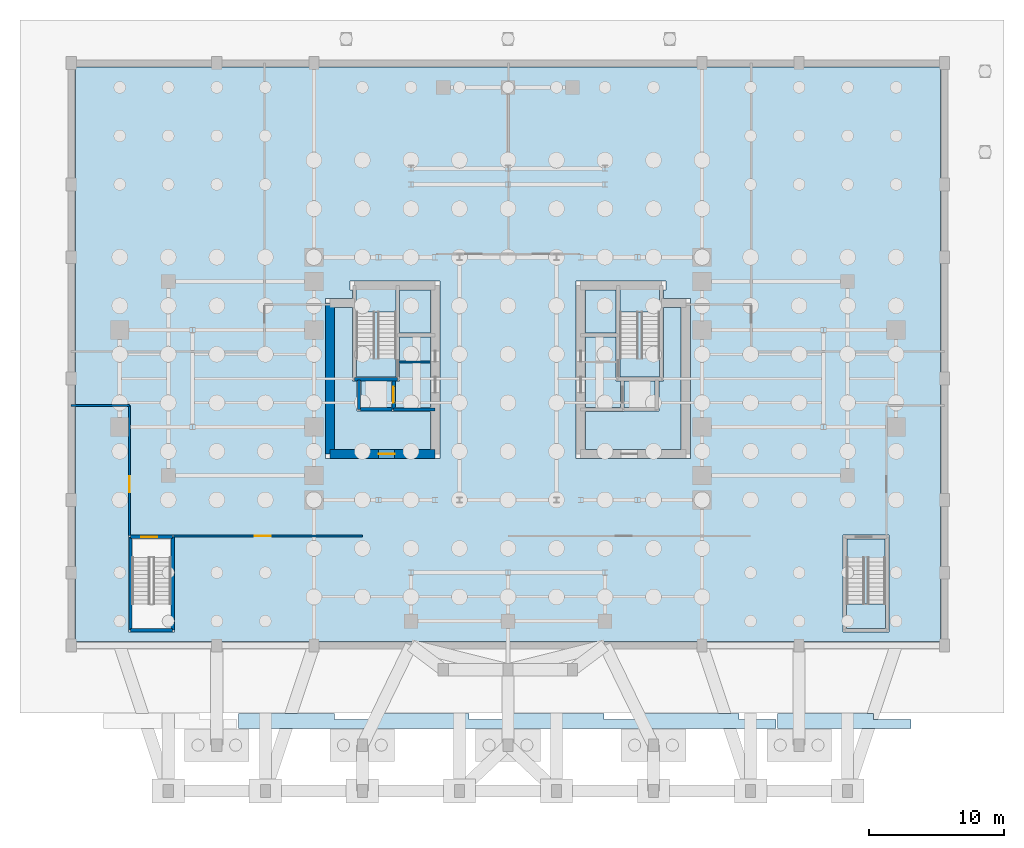
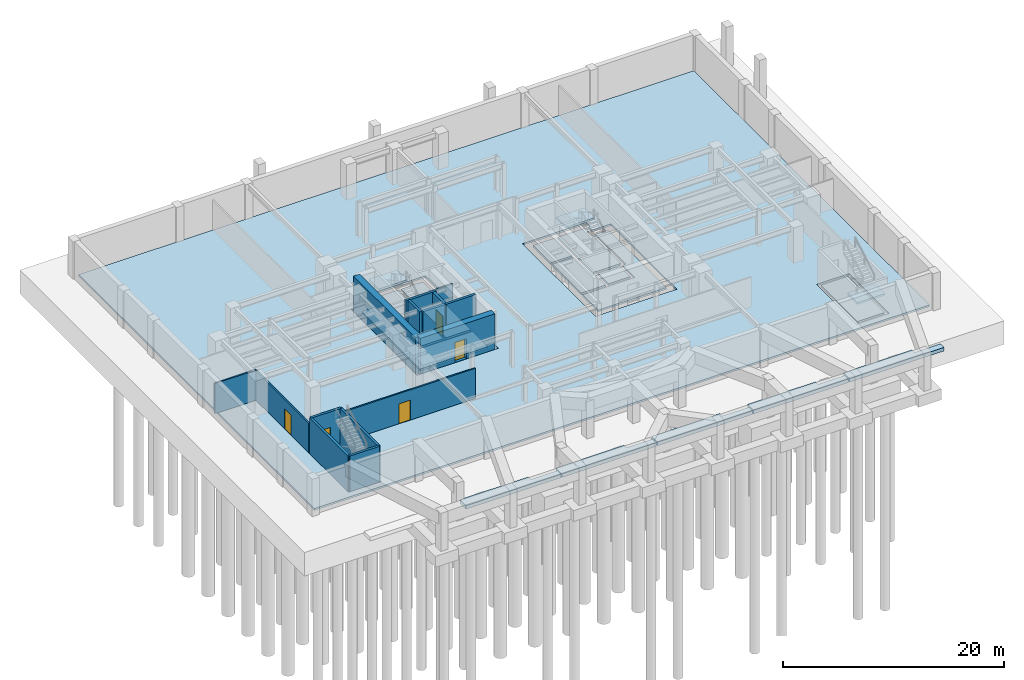
# One storey, part 7 of 13: 20 slabs, 15 walls, 5 doors, 5 openings, 3 elements without a shape of their own.
"""IFC4 building model written with IfcOpenShell, lengths in metres."""

from ifc_helpers import new_model, si_unit, direction, frame, frame_2d, origin, place, context, subcontext, project, spatial, polyline, rectangle, outline, extrude, source, transform, mapped, material, layer, layer_set, type_object, element, fill, aggregate, save


model = new_model("IFC4")

# Units and contexts
model_context = context("Model", 3, precision=1e-05, world=origin(), true_north=direction((0.0, 1.0)))
body_context = subcontext(model_context, "Body", "Model", "MODEL_VIEW")
ifc_project = project(units=[si_unit("LENGTHUNIT", "METRE"), si_unit("AREAUNIT", "SQUARE_METRE"), si_unit("VOLUMEUNIT", "CUBIC_METRE"), si_unit("PLANEANGLEUNIT", "RADIAN"), si_unit("MASSUNIT", "GRAM", prefix="KILO")], contexts=[model_context])

# Site, building, storey
site_placement = place(None, origin())
site = spatial("IfcSite", under=ifc_project, at=site_placement, CompositionType="ELEMENT")
building_placement = place(site_placement, origin())
building = spatial("IfcBuilding", under=site, at=building_placement, Name="Keilestroom Media Tower", CompositionType="ELEMENT")
storey_placement = place(building_placement, frame((0.0, 0.0, -8.39990234375)))
storey = spatial("IfcBuildingStorey", under=building, at=storey_placement, Name="B2", CompositionType="ELEMENT", Elevation=-8.39990234375)

# Slabs
ifc_material_1 = material(Name="Concrete C50/60", Category="concrete")
ifc_layer_1 = layer(ifc_material_1, 0.199951171875)
ifc_layer_set_1 = layer_set([ifc_layer_1], Name="Concrete C50/60")
slab_type_1 = type_object("IfcSlabType", Name="Composite-Floor-Slab-200", PredefinedType="FLOOR", material=ifc_layer_set_1)
slab_1_placement = place(storey_placement, frame((0.0, 0.0, -0.2001953125)))
element("IfcSlab", 1, at=slab_1_placement, inside=storey, type_object=slab_type_1, Name="B2 Structural Basement Floor Slab 1", PredefinedType="FLOOR", context=body_context, shape_type="SweptSolid", body=[
    extrude(outline(polyline([(-32.10009765625, 23.10009765625), (32.10009765625, 23.10009765625), (32.10009765625, -19.5), (-32.10009765625, -19.5), (-32.10009765625, 23.10009765625)]), holes=[polyline([(-28.14599609375, -11.60400390625), (-28.14599609375, -11.89404296875), (-28.14599609375, -18.52587890625), (-28.14599609375, -18.81591796875), (-27.85595703125, -18.81591796875), (-25.02392578125, -18.81591796875), (-24.73388671875, -18.81591796875), (-24.73388671875, -18.52587890625), (-24.73388671875, -11.89404296875), (-24.73388671875, -11.60400390625), (-25.02392578125, -11.60400390625), (-27.85595703125, -11.60400390625), (-28.14599609375, -11.60400390625)]), polyline([(-5.054931640625, -5.945068359375), (-5.054931640625, -5.2548828125), (-5.054931640625, 6.554931640625), (-5.054931640625, 7.2451171875), (-5.7451171875, 7.2451171875), (-11.72607421875, 7.2451171875), (-11.72607421875, 6.554931640625), (-11.52587890625, 6.554931640625), (-11.52587890625, 5.945068359375), (-12.85498046875, 5.945068359375), (-13.544921875, 5.945068359375), (-13.544921875, 5.2548828125), (-13.544921875, -5.2548828125), (-13.544921875, -5.945068359375), (-12.85498046875, -5.945068359375), (-5.7451171875, -5.945068359375), (-5.054931640625, -5.945068359375)]), polyline([(24.85400390625, -18.81591796875), (25.14404296875, -18.81591796875), (27.97607421875, -18.81591796875), (28.26611328125, -18.81591796875), (28.26611328125, -18.52587890625), (28.26611328125, -11.89404296875), (28.26611328125, -11.60400390625), (27.97607421875, -11.60400390625), (25.14404296875, -11.60400390625), (24.85400390625, -11.60400390625), (24.85400390625, -11.89404296875), (24.85400390625, -18.52587890625), (24.85400390625, -18.81591796875)]), polyline([(13.544921875, -5.945068359375), (13.544921875, -5.2548828125), (13.544921875, 5.2548828125), (13.544921875, 5.945068359375), (12.85498046875, 5.945068359375), (11.52587890625, 5.945068359375), (11.52587890625, 6.554931640625), (11.72607421875, 6.554931640625), (11.72607421875, 7.2451171875), (5.7451171875, 7.2451171875), (5.054931640625, 7.2451171875), (5.054931640625, 6.554931640625), (5.054931640625, -5.2548828125), (5.054931640625, -5.945068359375), (5.7451171875, -5.945068359375), (12.85498046875, -5.945068359375), (13.544921875, -5.945068359375)])]), origin(), (0.0, 0.0, 1.0), 0.2001953125),
])
slab_2_placement = place(storey_placement, frame((0.0, 0.0, -0.2001953125)))
element("IfcSlab", 2, at=slab_2_placement, inside=storey, type_object=slab_type_1, Name="B2 Structural Basement Floor Slab 2", PredefinedType="FLOOR", context=body_context, shape_type="SweptSolid", body=[
    extrude(outline(polyline([(12.85498046875, -5.2548828125), (5.7451171875, -5.2548828125), (5.7451171875, -2.445068359375), (8.625, -2.445068359375), (8.625, -2.425048828125), (10.905029296875, -2.425048828125), (11.06591796875, -2.425048828125), (11.195068359375, -2.425048828125), (11.195068359375, -0.18603515625), (11.236083984375, -0.18603515625), (11.52587890625, -0.18603515625), (11.52587890625, 0.10400390625), (11.52587890625, 5.2548828125), (12.85498046875, 5.2548828125), (12.85498046875, -5.2548828125)])), origin(), (0.0, 0.0, 1.0), 0.2001953125),
])
slab_3_placement = place(storey_placement, frame((0.0, 0.0, -0.2001953125)))
element("IfcSlab", 3, at=slab_3_placement, inside=storey, type_object=slab_type_1, Name="B2 Structural Basement Floor Slab 3", PredefinedType="FLOOR", context=body_context, shape_type="SweptSolid", body=[
    extrude(outline(polyline([(-5.7451171875, -5.2548828125), (-12.85498046875, -5.2548828125), (-12.85498046875, 5.2548828125), (-11.52587890625, 5.2548828125), (-11.52587890625, 0.10400390625), (-11.52587890625, -0.18603515625), (-11.236083984375, -0.18603515625), (-11.195068359375, -0.18603515625), (-11.195068359375, -2.425048828125), (-11.06591796875, -2.425048828125), (-10.905029296875, -2.425048828125), (-8.625, -2.425048828125), (-8.625, -2.445068359375), (-5.7451171875, -2.445068359375), (-5.7451171875, -5.2548828125)])), origin(), (0.0, 0.0, 1.0), 0.2001953125),
])
slab_4_placement = place(storey_placement, frame((0.0, 0.0, -0.2001953125)))
element("IfcSlab", 4, at=slab_4_placement, inside=storey, type_object=slab_type_1, Name="B2 Structural Basement Floor Slab 5", PredefinedType="FLOOR", context=body_context, shape_type="SweptSolid", body=[
    extrude(outline(polyline([(25.14404296875, -11.89404296875), (27.97607421875, -11.89404296875), (27.97607421875, -18.52587890625), (25.14404296875, -18.52587890625), (25.14404296875, -11.89404296875)])), origin(), (0.0, 0.0, 1.0), 0.2001953125),
])
slab_5_placement = place(storey_placement, frame((0.0, 0.0, -0.2001953125)))
element("IfcSlab", 5, at=slab_5_placement, inside=storey, type_object=slab_type_1, Name="B2 Structural Basement Floor Slab 6", PredefinedType="FLOOR", context=body_context, shape_type="SweptSolid", body=[
    extrude(outline(polyline([(-8.323974609375, 3.074951171875), (-8.323974609375, 0.10400390625), (-11.236083984375, 0.10400390625), (-11.236083984375, 5.2548828125), (-11.035888671875, 5.2548828125), (-11.035888671875, 5.945068359375), (-11.236083984375, 5.945068359375), (-11.236083984375, 6.554931640625), (-8.323974609375, 6.554931640625), (-8.323974609375, 3.364990234375), (-8.324951171875, 3.364990234375), (-8.324951171875, 3.074951171875), (-8.323974609375, 3.074951171875)])), origin(), (0.0, 0.0, 1.0), 0.2001953125),
])
slab_6_placement = place(storey_placement, frame((0.0, 0.0, -0.2001953125)))
element("IfcSlab", 6, at=slab_6_placement, inside=storey, type_object=slab_type_1, Name="B2 Structural Basement Floor Slab 7", PredefinedType="FLOOR", context=body_context, shape_type="SweptSolid", body=[
    extrude(outline(polyline([(11.236083984375, 5.2548828125), (11.236083984375, 0.10400390625), (8.323974609375, 0.10400390625), (8.323974609375, 3.074951171875), (8.324951171875, 3.074951171875), (8.324951171875, 3.364990234375), (8.323974609375, 3.364990234375), (8.323974609375, 6.554931640625), (11.236083984375, 6.554931640625), (11.236083984375, 5.945068359375), (11.035888671875, 5.945068359375), (11.035888671875, 5.2548828125), (11.236083984375, 5.2548828125)])), origin(), (0.0, 0.0, 1.0), 0.2001953125),
])
slab_7_placement = place(storey_placement, frame((0.0, 0.0, -0.2001953125)))
element("IfcSlab", 7, at=slab_7_placement, inside=storey, type_object=slab_type_1, Name="B2 Structural Basement Floor Slab 8", PredefinedType="FLOOR", context=body_context, shape_type="SweptSolid", body=[
    extrude(outline(polyline([(8.3349609375, -0.18603515625), (8.3349609375, -2.155029296875), (5.7451171875, -2.155029296875), (5.7451171875, 3.074951171875), (8.033935546875, 3.074951171875), (8.033935546875, 0.10400390625), (8.033935546875, -0.18603515625), (8.323974609375, -0.18603515625), (8.3349609375, -0.18603515625)])), origin(), (0.0, 0.0, 1.0), 0.2001953125),
])
slab_8_placement = place(storey_placement, frame((0.0, 0.0, -0.2001953125)))
element("IfcSlab", 8, at=slab_8_placement, inside=storey, type_object=slab_type_1, Name="B2 Structural Basement Floor Slab 9", PredefinedType="FLOOR", context=body_context, shape_type="SweptSolid", body=[
    extrude(outline(polyline([(-5.7451171875, -2.155029296875), (-8.3349609375, -2.155029296875), (-8.3349609375, -0.18603515625), (-8.323974609375, -0.18603515625), (-8.033935546875, -0.18603515625), (-8.033935546875, 0.10400390625), (-8.033935546875, 3.074951171875), (-5.7451171875, 3.074951171875), (-5.7451171875, -2.155029296875)])), origin(), (0.0, 0.0, 1.0), 0.2001953125),
])
slab_9_placement = place(storey_placement, frame((0.0, 0.0, -0.2001953125)))
element("IfcSlab", 9, at=slab_9_placement, inside=storey, type_object=slab_type_1, Name="B2 Structural Basement Floor Slab 10", PredefinedType="FLOOR", context=body_context, shape_type="SweptSolid", body=[
    extrude(outline(polyline([(-8.033935546875, 6.554931640625), (-5.7451171875, 6.554931640625), (-5.7451171875, 3.364990234375), (-8.033935546875, 3.364990234375), (-8.033935546875, 6.554931640625)])), origin(), (0.0, 0.0, 1.0), 0.2001953125),
])
slab_10_placement = place(storey_placement, frame((0.0, 0.0, -0.2001953125)))
element("IfcSlab", 10, at=slab_10_placement, inside=storey, type_object=slab_type_1, Name="B2 Structural Basement Floor Slab 11", PredefinedType="FLOOR", context=body_context, shape_type="SweptSolid", body=[
    extrude(outline(polyline([(8.033935546875, 3.364990234375), (5.7451171875, 3.364990234375), (5.7451171875, 6.554931640625), (8.033935546875, 6.554931640625), (8.033935546875, 3.364990234375)])), origin(), (0.0, 0.0, 1.0), 0.2001953125),
])
slab_11_placement = place(storey_placement, frame((0.0, 0.0, -0.2001953125)))
element("IfcSlab", 11, at=slab_11_placement, inside=storey, type_object=slab_type_1, Name="B2 Structural Basement Floor Slab 12", PredefinedType="FLOOR", context=body_context, shape_type="SweptSolid", body=[
    extrude(outline(polyline([(-10.905029296875, -2.135009765625), (-10.905029296875, -0.18603515625), (-8.625, -0.18603515625), (-8.625, -2.135009765625), (-10.905029296875, -2.135009765625)])), origin(), (0.0, 0.0, 1.0), 0.2001953125),
])
slab_12_placement = place(storey_placement, frame((0.0, 0.0, -0.2001953125)))
element("IfcSlab", 12, at=slab_12_placement, inside=storey, type_object=slab_type_1, Name="B2 Structural Basement Floor Slab 13", PredefinedType="FLOOR", context=body_context, shape_type="SweptSolid", body=[
    extrude(outline(polyline([(8.625, -2.135009765625), (8.625, -0.18603515625), (10.905029296875, -0.18603515625), (10.905029296875, -2.135009765625), (8.625, -2.135009765625)])), origin(), (0.0, 0.0, 1.0), 0.2001953125),
])
ifc_material_2 = material(Name="Concrete C55/67", Category="concrete")
ifc_layer_2 = layer(ifc_material_2, 0.39990234375)
ifc_layer_set_2 = layer_set([ifc_layer_2], Name="Concrete C55/67")
slab_type_2 = type_object("IfcSlabType", Name="Piled-Raft-Base-Slab-400", PredefinedType="BASESLAB", material=ifc_layer_set_2)
slab_13_placement = place(storey_placement, frame((0.0, 0.0, -0.400146484375)))
element("IfcSlab", 13, at=slab_13_placement, inside=storey, type_object=slab_type_2, Name="B2 Cofferdam Apron Base Slab 2", PredefinedType="BASESLAB", context=body_context, shape_type="SweptSolid", body=[
    extrude(outline(polyline([(-20.0, -25.949951171875), (-10.10009765625, -25.949951171875), (-10.10009765625, -25.300048828125), (-12.8720703125, -25.300048828125), (-12.8720703125, -24.85009765625), (-20.0, -24.85009765625), (-20.0, -25.949951171875)])), origin(), (0.0, 0.0, 1.0), 0.400146484375),
])
slab_14_placement = place(storey_placement, frame((0.0, 0.0, -0.400146484375)))
element("IfcSlab", 14, at=slab_14_placement, inside=storey, type_object=slab_type_2, Name="B2 Cofferdam Apron Base Slab 3", PredefinedType="BASESLAB", context=body_context, shape_type="SweptSolid", body=[
    extrude(outline(polyline([(-10.0, -25.949951171875), (-0.10009765625, -25.949951171875), (-0.10009765625, -25.300048828125), (-2.8720703125, -25.300048828125), (-2.8720703125, -24.85009765625), (-10.0, -24.85009765625), (-10.0, -25.949951171875)])), origin(), (0.0, 0.0, 1.0), 0.400146484375),
])
slab_15_placement = place(storey_placement, frame((0.0, 0.0, -0.400146484375)))
element("IfcSlab", 15, at=slab_15_placement, inside=storey, type_object=slab_type_2, Name="B2 Cofferdam Apron Base Slab 4", PredefinedType="BASESLAB", context=body_context, shape_type="SweptSolid", body=[
    extrude(outline(polyline([(0.0, -25.949951171875), (9.89990234375, -25.949951171875), (9.89990234375, -25.300048828125), (7.1279296875, -25.300048828125), (7.1279296875, -24.85009765625), (0.0, -24.85009765625), (0.0, -25.949951171875)])), origin(), (0.0, 0.0, 1.0), 0.400146484375),
])
slab_16_placement = place(storey_placement, frame((0.0, 0.0, -0.400146484375)))
element("IfcSlab", 16, at=slab_16_placement, inside=storey, type_object=slab_type_2, Name="B2 Cofferdam Apron Base Slab 5", PredefinedType="BASESLAB", context=body_context, shape_type="SweptSolid", body=[
    extrude(outline(polyline([(10.0, -25.949951171875), (19.89990234375, -25.949951171875), (19.89990234375, -25.300048828125), (17.1279296875, -25.300048828125), (17.1279296875, -24.85009765625), (10.0, -24.85009765625), (10.0, -25.949951171875)])), origin(), (0.0, 0.0, 1.0), 0.400146484375),
])
slab_17_placement = place(storey_placement, frame((0.0, 0.0, -0.400146484375)))
element("IfcSlab", 17, at=slab_17_placement, inside=storey, type_object=slab_type_2, Name="B2 Cofferdam Apron Base Slab 6", PredefinedType="BASESLAB", context=body_context, shape_type="SweptSolid", body=[
    extrude(outline(polyline([(20.0, -25.949951171875), (29.89990234375, -25.949951171875), (29.89990234375, -25.300048828125), (27.1279296875, -25.300048828125), (27.1279296875, -24.85009765625), (20.0, -24.85009765625), (20.0, -25.949951171875)])), origin(), (0.0, 0.0, 1.0), 0.400146484375),
])

# Stair, slab
ifc_material_3 = material(Name="Concrete C45/55", Category="concrete")
stair_type_1 = type_object("IfcStairType", Name="Enclosed-Dog-Leg-Stair-ST-CORE", PredefinedType="HALF_TURN_STAIR", material=ifc_material_3)
stair_1_placement = place(storey_placement, origin())
stair_1 = element("IfcStair", 18, at=stair_1_placement, inside=storey, type_object=stair_type_1, Name="B2 West Core Escape Stair ST-1", PredefinedType="HALF_TURN_STAIR")
ifc_layer_3 = layer(ifc_material_3, 0.199951171875)
ifc_layer_set_3 = layer_set([ifc_layer_3], Name="Concrete C45/55")
slab_type_3 = type_object("IfcSlabType", Name="Stair-Intermediate-And-Top-Landing-Slab-200", PredefinedType="LANDING", material=ifc_layer_set_3)
slab_18_placement = place(storey_placement, frame((0.0, 0.0, 1.89990234375)))
slab_18 = element("IfcSlab", 19, at=slab_18_placement, type_object=slab_type_3, Name="ST-1 landing 1", PredefinedType="LANDING", context=body_context, shape_type="SweptSolid", body=[
    extrude(outline(polyline([(-8.300048828125, 4.931884765625), (-8.300048828125, 6.760009765625), (-11.260009765625, 6.760009765625), (-11.260009765625, 4.931884765625), (-8.300048828125, 4.931884765625)])), origin(), (0.0, 0.0, 1.0), 0.199951171875),
])
aggregate(stair_1, [slab_18])

stair_2_placement = place(storey_placement, origin())
stair_2 = element("IfcStair", 20, at=stair_2_placement, inside=storey, type_object=stair_type_1, Name="B2 East Core Escape Stair ST-2", PredefinedType="HALF_TURN_STAIR")
slab_19_placement = place(storey_placement, frame((0.0, 0.0, 1.89990234375)))
slab_19 = element("IfcSlab", 21, at=slab_19_placement, type_object=slab_type_3, Name="ST-2 landing 1", PredefinedType="LANDING", context=body_context, shape_type="SweptSolid", body=[
    extrude(outline(polyline([(11.260009765625, 4.931884765625), (11.260009765625, 6.760009765625), (8.300048828125, 6.760009765625), (8.300048828125, 4.931884765625), (11.260009765625, 4.931884765625)])), origin(), (0.0, 0.0, 1.0), 0.199951171875),
])
aggregate(stair_2, [slab_19])

stair_type_2 = type_object("IfcStairType", Name="Enclosed-Dog-Leg-Stair-ST-POD", PredefinedType="HALF_TURN_STAIR", material=ifc_material_3)
stair_3_placement = place(storey_placement, origin())
stair_3 = element("IfcStair", 22, at=stair_3_placement, inside=storey, type_object=stair_type_2, Name="B2 Podium East Studio Escape Stair ST-4", PredefinedType="HALF_TURN_STAIR")
slab_20_placement = place(storey_placement, frame((0.0, 0.0, 1.89990234375)))
slab_20 = element("IfcSlab", 23, at=slab_20_placement, type_object=slab_type_3, Name="ST-4 landing 1", PredefinedType="LANDING", context=body_context, shape_type="SweptSolid", body=[
    extrude(outline(polyline([(25.1201171875, -16.721923828125), (25.1201171875, -18.550048828125), (28.0, -18.550048828125), (28.0, -16.721923828125), (25.1201171875, -16.721923828125)])), origin(), (0.0, 0.0, 1.0), 0.199951171875),
])
aggregate(stair_3, [slab_20])

# Walls
ifc_material_4 = material(Name="Gypsum Plasterboard & Steel Stud", Category="steel")
ifc_layer_4 = layer(ifc_material_4, 0.14990234375)
ifc_layer_set_4 = layer_set([ifc_layer_4], Name="Gypsum Plasterboard & Steel Stud")
wall_type_1 = type_object("IfcWallType", Name="Interior-Partition-Wall-150", PredefinedType="PARTITIONING", material=ifc_layer_set_4)
wall_1_placement = place(storey_placement, frame((-8.139892578125, 1.239990234375, 0.0), z_axis=(0.0, 0.0, 1.0), x_axis=(1.0, 0.0, 0.0)))
element("IfcWall", 24, at=wall_1_placement, inside=storey, type_object=wall_type_1, Name="B2 Interior Wall WP-B2-FFW-TOP", PredefinedType="PARTITIONING", context=body_context, shape_type="SweptSolid", body=[
    extrude(rectangle(XDim=2.389892578125, YDim=0.14990234375, at=frame_2d((1.19482421875, 0.0))), origin(), (0.0, 0.0, 1.0), 3.02001953125),
])
wall_2_placement = place(storey_placement, frame((-32.39990234375, -2.0, 0.0), z_axis=(0.0, 0.0, 1.0), x_axis=(1.0, 0.0, 0.0)))
element("IfcWall", 25, at=wall_2_placement, inside=storey, type_object=wall_type_1, Name="B2 Interior Wall WP-B2-B2-SPRK-N", PredefinedType="PARTITIONING", context=body_context, shape_type="SweptSolid", body=[
    extrude(rectangle(XDim=4.31982421875, YDim=0.14990234375, at=frame_2d((2.159912109375, 0.0))), origin(), (0.0, 0.0, 1.0), 3.329833984375),
])

# Wall, opening, door
wall_3_placement = place(storey_placement, frame((-28.080078125, -11.64990234375, 0.0), z_axis=(0.0, 0.0, 1.0), x_axis=(0.0, 1.0, 0.0)))
wall_3 = element("IfcWall", 26, at=wall_3_placement, inside=storey, type_object=wall_type_1, Name="B2 Interior Wall WP-B2-B2-SPRK", PredefinedType="PARTITIONING", context=body_context, shape_type="SweptSolid", body=[
    extrude(rectangle(XDim=9.64990234375, YDim=0.14990234375, at=frame_2d((4.824951171875, 0.0))), origin(), (0.0, 0.0, 1.0), 3.27001953125),
])
opening_1_placement = place(wall_3_placement, frame((3.199951171875, 0.0, 0.0)))
opening_1 = element("IfcOpeningElement", 27, at=opening_1_placement, cuts=wall_3, Name="Opening DI-02", PredefinedType="OPENING", context=body_context, shape_type="SweptSolid", body=[
    extrude(rectangle(XDim=1.199951171875, YDim=2.199951171875, at=frame_2d((0.60009765625, 1.10009765625))), frame((0.0, 0.0849609375, 0.0), z_axis=(0.0, -1.0, 0.0), x_axis=(1.0, 0.0, 0.0)), (0.0, 0.0, 1.0), 0.169921875),
])
ifc_material_5 = material(Name="Powder-Coated Steel Fire Leaf", Category="steel")
door_type_1 = type_object("IfcDoorType", Name="Interior-Compartment-Fire-Door-DI-02", OperationType="NOTDEFINED", PredefinedType="DOOR", material=ifc_material_5)
shared_shape = source(origin(), body_context, "Body", "SweptSolid", [
    extrude(rectangle(XDim=1.199951171875, YDim=2.199951171875, at=frame_2d((0.60009765625, 1.10009765625))), frame((0.0, 0.02490234375, 0.0), z_axis=(0.0, -1.0, 0.0), x_axis=(1.0, 0.0, 0.0)), (0.0, 0.0, 1.0), 0.050048828125),
])
door_1_placement = place(opening_1_placement, origin())
door_1 = element("IfcDoor", 28, at=door_1_placement, inside=storey, type_object=door_type_1, Name="B2 Interior Door DI-B2-B2-SPRK", OperationType="SINGLE_SWING_LEFT", OverallHeight=2.199951171875, OverallWidth=1.199951171875, PredefinedType="DOOR", context=body_context, shape_type="MappedRepresentation", body=[
    mapped(shared_shape, transform((0.0, 0.0, 0.0), x_axis=(1.0, 0.0, 0.0), y_axis=(0.0, 1.0, 0.0), z_axis=(0.0, 0.0, 1.0), scale=1.0)),
])
fill(opening_1, door_1)

wall_4_placement = place(storey_placement, frame((-24.800048828125, -11.679931640625, 0.0), z_axis=(0.0, 0.0, 1.0), x_axis=(1.0, 0.0, 0.0)))
wall_4 = element("IfcWall", 29, at=wall_4_placement, inside=storey, type_object=wall_type_1, Name="B2 Interior Wall WP-B2-B2-RIVR", PredefinedType="PARTITIONING", context=body_context, shape_type="SweptSolid", body=[
    extrude(rectangle(XDim=14.0, YDim=0.14990234375, at=frame_2d((7.0, 0.0))), origin(), (0.0, 0.0, 1.0), 3.329833984375),
])
opening_2_placement = place(wall_4_placement, frame((6.0, 0.0, 0.0)))
opening_2 = element("IfcOpeningElement", 30, at=opening_2_placement, cuts=wall_4, Name="Opening DI-02", PredefinedType="OPENING", context=body_context, shape_type="SweptSolid", body=[
    extrude(rectangle(XDim=1.199951171875, YDim=2.199951171875, at=frame_2d((0.60009765625, 1.10009765625))), frame((0.0, 0.0849609375, 0.0), z_axis=(0.0, -1.0, 0.0), x_axis=(1.0, 0.0, 0.0)), (0.0, 0.0, 1.0), 0.169921875),
])
door_2_placement = place(opening_2_placement, origin())
door_2 = element("IfcDoor", 31, at=door_2_placement, inside=storey, type_object=door_type_1, Name="B2 Interior Door DI-B2-B2-RIVR", OperationType="SINGLE_SWING_RIGHT", OverallHeight=2.199951171875, OverallWidth=1.199951171875, PredefinedType="DOOR", context=body_context, shape_type="MappedRepresentation", body=[
    mapped(shared_shape, transform((0.0, 0.0, 0.0), x_axis=(1.0, 0.0, 0.0), y_axis=(0.0, 1.0, 0.0), z_axis=(0.0, 0.0, 1.0), scale=1.0)),
])
fill(opening_2, door_2)

# Wall
ifc_material_6 = material(Name="Concrete C70/85", Category="concrete")
ifc_layer_5 = layer(ifc_material_6, 0.64990234375)
ifc_layer_set_5 = layer_set([ifc_layer_5], Name="Concrete C70/85")
wall_type_2 = type_object("IfcWallType", Name="Reinforced-Concrete-Core-Shear-Wall-650", PredefinedType="SHEAR", material=ifc_layer_set_5)
wall_5_placement = place(storey_placement, frame((-13.199951171875, -5.60009765625, -0.2001953125), z_axis=(0.0, 0.0, 1.0), x_axis=(0.0, 1.0, 0.0)))
element("IfcWall", 32, at=wall_5_placement, inside=storey, type_object=wall_type_2, Name="B2 Core Shear Wall WL-B2-CORE-W-OUT", PredefinedType="SHEAR", context=body_context, shape_type="SweptSolid", body=[
    extrude(rectangle(XDim=11.2001953125, YDim=0.64990234375, at=frame_2d((5.60009765625, 0.0))), origin(), (0.0, 0.0, 1.0), 4.1201171875),
])

# Wall, opening, door
wall_6_placement = place(storey_placement, frame((-13.199951171875, -5.60009765625, -0.2001953125), z_axis=(0.0, 0.0, 1.0), x_axis=(1.0, 0.0, 0.0)))
wall_6 = element("IfcWall", 33, at=wall_6_placement, inside=storey, type_object=wall_type_2, Name="B2 Core Shear Wall WL-B2-CORE-W-S", PredefinedType="SHEAR", context=body_context, shape_type="SweptSolid", body=[
    extrude(rectangle(XDim=7.800048828125, YDim=0.64990234375, at=frame_2d((3.89990234375, 0.0))), origin(), (0.0, 0.0, 1.0), 4.1201171875),
])
opening_3_placement = place(wall_6_placement, frame((3.60009765625, 0.0, 0.199951171875)))
opening_3 = element("IfcOpeningElement", 34, at=opening_3_placement, cuts=wall_6, Name="Opening DI-02", PredefinedType="OPENING", context=body_context, shape_type="SweptSolid", body=[
    extrude(rectangle(XDim=1.199951171875, YDim=2.199951171875, at=frame_2d((0.60009765625, 1.10009765625))), frame((0.0, 0.3349609375, 0.0), z_axis=(0.0, -1.0, 0.0), x_axis=(1.0, 0.0, 0.0)), (0.0, 0.0, 1.0), 0.669921875),
])
door_3_placement = place(opening_3_placement, origin())
door_3 = element("IfcDoor", 35, at=door_3_placement, inside=storey, type_object=door_type_1, Name="B2 W Passenger Lift Lobby Door", OperationType="SINGLE_SWING_LEFT", OverallHeight=2.199951171875, OverallWidth=1.199951171875, PredefinedType="DOOR", context=body_context, shape_type="MappedRepresentation", body=[
    mapped(shared_shape, transform((0.0, 0.0, 0.0), x_axis=(1.0, 0.0, 0.0), y_axis=(0.0, 1.0, 0.0), z_axis=(0.0, 0.0, 1.0), scale=1.0)),
])
fill(opening_3, door_3)

# Walls
ifc_layer_6 = layer(ifc_material_1, 0.25)
ifc_layer_set_6 = layer_set([ifc_layer_6], Name="Concrete C50/60")
wall_type_3 = type_object("IfcWallType", Name="Reinforced-Concrete-Shaft-Wall-250", PredefinedType="SOLIDWALL", material=ifc_layer_set_6)
wall_7_placement = place(storey_placement, frame((-8.47998046875, -2.300048828125, -0.2001953125), z_axis=(0.0, 0.0, 1.0), x_axis=(1.0, 0.0, 0.0)))
element("IfcWall", 36, at=wall_7_placement, inside=storey, type_object=wall_type_3, Name="B2 Core Shear Wall WL-B2-CORE-W-FFS", PredefinedType="SOLIDWALL", context=body_context, shape_type="SweptSolid", body=[
    extrude(rectangle(XDim=3.080078125, YDim=0.25, at=frame_2d((1.5400390625, 0.0))), origin(), (0.0, 0.0, 1.0), 4.1201171875),
])
wall_8_placement = place(storey_placement, frame((-11.381103515625, -0.041015625, -0.2001953125), z_axis=(0.0, 0.0, 1.0), x_axis=(1.0, 0.0, 0.0)))
element("IfcWall", 37, at=wall_8_placement, inside=storey, type_object=wall_type_3, Name="B2 Core Shear Wall WL-B2-STW-W-S", PredefinedType="SOLIDWALL", context=body_context, shape_type="SweptSolid", body=[
    extrude(rectangle(XDim=3.2021484375, YDim=0.25, at=frame_2d((1.60107421875, 0.0))), origin(), (0.0, 0.0, 1.0), 4.1201171875),
])
for number, where, z_axis, x_axis, name in (
    (38, (-28.0009765625, -18.6708984375, -0.2001953125), (0.0, 0.0, 1.0), (0.0, 1.0, 0.0), "B2 Core Shear Wall WL-B2-ST-3-W"),
    (39, (-24.87890625, -18.6708984375, -0.2001953125), (0.0, 0.0, 1.0), (0.0, 1.0, 0.0), "B2 Core Shear Wall WL-B2-ST-3-E"),
):
    element("IfcWall", number, at=place(storey_placement, frame(where, z_axis=z_axis, x_axis=x_axis)), inside=storey, type_object=wall_type_3, Name=name, PredefinedType="SOLIDWALL", context=body_context, shape_type="SweptSolid", body=[
        extrude(rectangle(XDim=6.921875, YDim=0.25, at=frame_2d((3.4609375, 0.0))), origin(), (0.0, 0.0, 1.0), 4.1201171875),
    ])
wall_9_placement = place(storey_placement, frame((-28.0009765625, -18.6708984375, -0.2001953125), z_axis=(0.0, 0.0, 1.0), x_axis=(1.0, 0.0, 0.0)))
element("IfcWall", 40, at=wall_9_placement, inside=storey, type_object=wall_type_3, Name="B2 Core Shear Wall WL-B2-ST-3-S", PredefinedType="SOLIDWALL", context=body_context, shape_type="SweptSolid", body=[
    extrude(rectangle(XDim=3.1220703125, YDim=0.25, at=frame_2d((1.56103515625, 0.0))), origin(), (0.0, 0.0, 1.0), 4.1201171875),
])

# Wall, opening, door
wall_10_placement = place(storey_placement, frame((-28.0009765625, -11.7490234375, -0.2001953125), z_axis=(0.0, 0.0, 1.0), x_axis=(1.0, 0.0, 0.0)))
wall_10 = element("IfcWall", 41, at=wall_10_placement, inside=storey, type_object=wall_type_3, Name="B2 Core Shear Wall WL-B2-ST-3-N", PredefinedType="SOLIDWALL", context=body_context, shape_type="SweptSolid", body=[
    extrude(rectangle(XDim=3.1220703125, YDim=0.25, at=frame_2d((1.56103515625, 0.0))), origin(), (0.0, 0.0, 1.0), 4.1201171875),
])
opening_4_placement = place(wall_10_placement, frame((0.800048828125, 0.0, 0.199951171875)))
opening_4 = element("IfcOpeningElement", 42, at=opening_4_placement, cuts=wall_10, Name="Opening DI-01S", PredefinedType="OPENING", context=body_context, shape_type="SweptSolid", body=[
    extrude(rectangle(XDim=1.199951171875, YDim=2.199951171875, at=frame_2d((0.60009765625, 1.10009765625))), frame((0.0, 0.135009765625, 0.0), z_axis=(0.0, -1.0, 0.0), x_axis=(1.0, 0.0, 0.0)), (0.0, 0.0, 1.0), 0.27001953125),
])
door_type_2 = type_object("IfcDoorType", Name="Interior-Stair-And-Core-Fire-Door-DI-01", OperationType="NOTDEFINED", PredefinedType="DOOR", material=ifc_material_5)
door_4_placement = place(opening_4_placement, origin())
door_4 = element("IfcDoor", 43, at=door_4_placement, inside=storey, type_object=door_type_2, Name="B2 Podium Stair ST-3 Fire Door", OperationType="SINGLE_SWING_LEFT", OverallHeight=2.199951171875, OverallWidth=1.199951171875, PredefinedType="DOOR", context=body_context, shape_type="MappedRepresentation", body=[
    mapped(shared_shape, transform((0.0, 0.0, 0.0), x_axis=(1.0, 0.0, 0.0), y_axis=(0.0, 1.0, 0.0), z_axis=(0.0, 0.0, 1.0), scale=1.0)),
])
fill(opening_4, door_4)

# Wall
wall_11_placement = place(storey_placement, frame((-11.050048828125, -2.280029296875, -0.2001953125), z_axis=(0.0, 0.0, 1.0), x_axis=(0.0, 1.0, 0.0)))
element("IfcWall", 44, at=wall_11_placement, inside=storey, type_object=wall_type_3, Name="B2 Core Shear Wall WL-B2-LSH-FFL-1-W", PredefinedType="SOLIDWALL", context=body_context, shape_type="SweptSolid", body=[
    extrude(rectangle(XDim=2.179931640625, YDim=0.25, at=frame_2d((1.08984375, 0.0))), origin(), (0.0, 0.0, 1.0), 4.1201171875),
])

# Wall, opening, door
wall_12_placement = place(storey_placement, frame((-8.47998046875, -2.280029296875, -0.2001953125), z_axis=(0.0, 0.0, 1.0), x_axis=(0.0, 1.0, 0.0)))
wall_12 = element("IfcWall", 45, at=wall_12_placement, inside=storey, type_object=wall_type_3, Name="B2 Core Shear Wall WL-B2-LSH-FFL-1-E", PredefinedType="SOLIDWALL", context=body_context, shape_type="SweptSolid", body=[
    extrude(rectangle(XDim=2.179931640625, YDim=0.25, at=frame_2d((1.08984375, 0.0))), origin(), (0.0, 0.0, 1.0), 4.1201171875),
])
opening_5_placement = place(wall_12_placement, frame((0.489990234375, 0.0, 0.199951171875)))
opening_5 = element("IfcOpeningElement", 46, at=opening_5_placement, cuts=wall_12, Name="Opening LD-02", PredefinedType="OPENING", context=body_context, shape_type="SweptSolid", body=[
    extrude(rectangle(XDim=1.199951171875, YDim=2.199951171875, at=frame_2d((0.60009765625, 1.10009765625))), frame((0.0, 0.135009765625, 0.0), z_axis=(0.0, -1.0, 0.0), x_axis=(1.0, 0.0, 0.0)), (0.0, 0.0, 1.0), 0.27001953125),
])
ifc_material_7 = material(Name="Brushed Stainless Steel Sliding Leaf", Category="steel")
door_type_3 = type_object("IfcDoorType", Name="Lift-Landing-Sliding-Door-LD-02", OperationType="SLIDING_TO_RIGHT", PredefinedType="DOOR", material=ifc_material_7)
door_5_placement = place(opening_5_placement, origin())
door_5 = element("IfcDoor", 47, at=door_5_placement, inside=storey, type_object=door_type_3, Name="B2 Lift FFL-1 Landing Sliding Door", OperationType="SLIDING_TO_RIGHT", OverallHeight=2.199951171875, OverallWidth=1.199951171875, PredefinedType="DOOR", context=body_context, shape_type="MappedRepresentation", body=[
    mapped(shared_shape, transform((0.0, 0.0, 0.0), x_axis=(1.0, 0.0, 0.0), y_axis=(0.0, 1.0, 0.0), z_axis=(0.0, 0.0, 1.0), scale=1.0)),
])
fill(opening_5, door_5)

# Wall
wall_13_placement = place(storey_placement, frame((-10.9208984375, -2.280029296875, -0.2001953125), z_axis=(0.0, 0.0, 1.0), x_axis=(1.0, 0.0, 0.0)))
element("IfcWall", 48, at=wall_13_placement, inside=storey, type_object=wall_type_3, Name="B2 Core Shear Wall WL-B2-LSH-FFL-1-S", PredefinedType="SOLIDWALL", context=body_context, shape_type="SweptSolid", body=[
    extrude(rectangle(XDim=2.31201171875, YDim=0.25, at=frame_2d((1.156005859375, 0.0))), origin(), (0.0, 0.0, 1.0), 4.1201171875),
])

save(model, "model.ifc")
